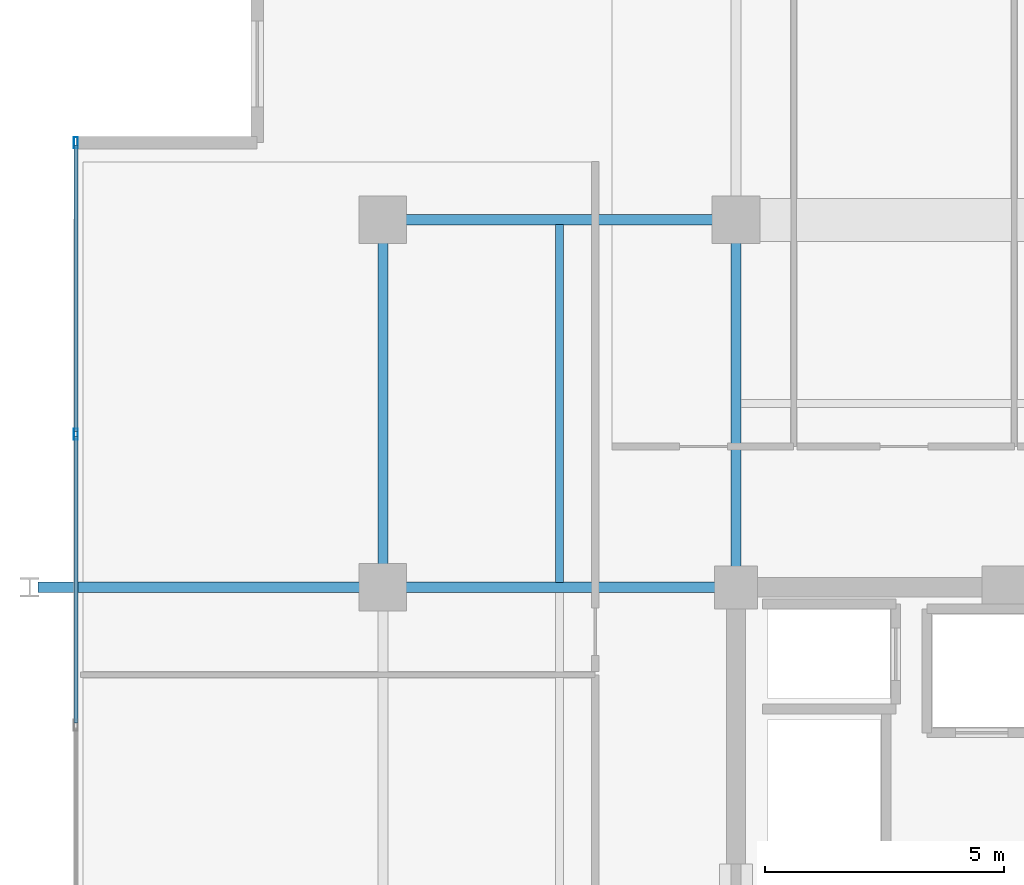
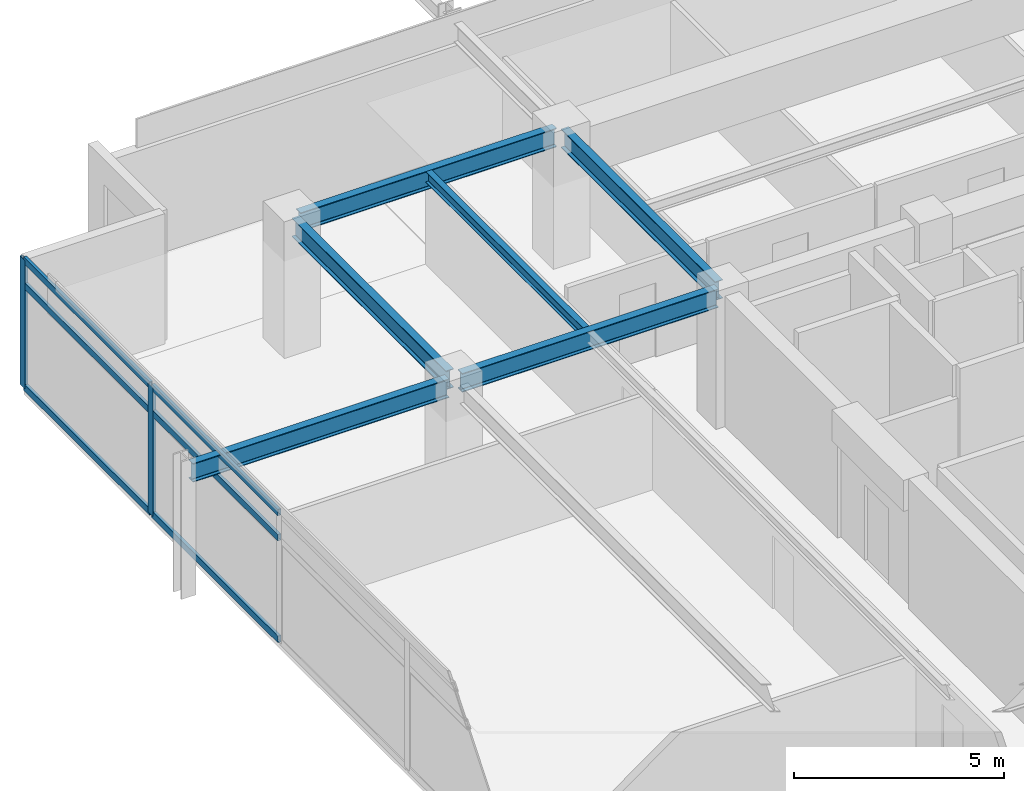
# One storey, part 9 of 20: 8 members, 6 beams, 1 element without a shape of its own.
"""IFC4 building model written with IfcOpenShell, lengths in metres."""

from ifc_helpers import new_model, si_unit, direction, frame, origin, origin_2d, place, context, subcontext, project, spatial, hollow_rectangle, i_section, extrude, material, material_profile, profile_set, type_object, element, aggregate, save


model = new_model("IFC4")

# Units and contexts
model_context = context("Model", 3, precision=1e-05, world=origin(), true_north=direction((0.0, 1.0)))
body_context = subcontext(model_context, "Body", "Model", "MODEL_VIEW")
ifc_project = project(units=[si_unit("LENGTHUNIT", "METRE"), si_unit("AREAUNIT", "SQUARE_METRE"), si_unit("VOLUMEUNIT", "CUBIC_METRE"), si_unit("PLANEANGLEUNIT", "RADIAN"), si_unit("MASSUNIT", "GRAM", prefix="KILO")], contexts=[model_context])

# Site, building, storey
site_placement = place(None, origin())
site = spatial("IfcSite", under=ifc_project, at=site_placement, CompositionType="ELEMENT")
building_placement = place(site_placement, origin())
building = spatial("IfcBuilding", under=site, at=building_placement, Name="Kovane Verandah Tower", CompositionType="ELEMENT")
storey_placement = place(building_placement, frame((0.0, 0.0, 318.800048828125)))
storey = spatial("IfcBuildingStorey", under=building, at=storey_placement, Name="L74", CompositionType="ELEMENT", Elevation=318.800048828125)

# Beams
ifc_material_1 = material(Name="Steel S355", Category="steel")
ifc_material_profile_1 = material_profile(ifc_material_1, i_section(OverallWidth=0.2119140625, OverallDepth=0.54443359375, WebThickness=0.0126953125, FlangeThickness=0.021240234375, FilletRadius=0.0126953125, at=origin_2d()), Name="UB533x210x122")
ifc_profile_set_1 = profile_set([ifc_material_profile_1], Name="Steel S355")
beam_type_1 = type_object("IfcBeamType", Name="BM-UB533x122", PredefinedType="BEAM", material=ifc_profile_set_1)
beam_1_placement = place(storey_placement, frame((21.780029296875, 44.199951171875, 3.5126953125), z_axis=(1.0, 0.0, 0.0), x_axis=(0.0, 1.0, 0.0)))
element("IfcBeam", 1, at=beam_1_placement, inside=storey, type_object=beam_type_1, Name="L74 Primary Tower Girder G-RN1", PredefinedType="BEAM", context=body_context, shape_type="SweptSolid", body=[
    extrude(i_section(OverallWidth=0.2119140625, OverallDepth=0.54443359375, WebThickness=0.0126953125, FlangeThickness=0.021240234375, FilletRadius=0.0126953125, at=origin_2d()), origin(), (0.0, 0.0, 1.0), 7.0400390625),
])
beam_2_placement = place(storey_placement, frame((21.60009765625, 36.679931640625, 3.5126953125), z_axis=(0.0, 1.0, 0.0), x_axis=(-1.0, 0.0, 0.0)))
element("IfcBeam", 2, at=beam_2_placement, inside=storey, type_object=beam_type_1, Name="L74 Primary Tower Girder G-RW3", PredefinedType="BEAM", context=body_context, shape_type="SweptSolid", body=[
    extrude(i_section(OverallWidth=0.2119140625, OverallDepth=0.54443359375, WebThickness=0.0126953125, FlangeThickness=0.021240234375, FilletRadius=0.0126953125, at=origin_2d()), origin(), (0.0, 0.0, 1.0), 7.340087890625),
])
beam_3_placement = place(storey_placement, frame((28.820068359375, 36.5, 3.5126953125), z_axis=(-1.0, 0.0, 0.0), x_axis=(0.0, -1.0, 0.0)))
element("IfcBeam", 3, at=beam_3_placement, inside=storey, type_object=beam_type_1, Name="L74 Primary Tower Girder G-W2", PredefinedType="BEAM", context=body_context, shape_type="SweptSolid", body=[
    extrude(i_section(OverallWidth=0.2119140625, OverallDepth=0.54443359375, WebThickness=0.0126953125, FlangeThickness=0.021240234375, FilletRadius=0.0126953125, at=origin_2d()), origin(), (0.0, 0.0, 1.0), 7.0400390625),
])
beam_4_placement = place(storey_placement, frame((29.0, 36.679931640625, 3.5126953125), z_axis=(0.0, 1.0, 0.0), x_axis=(-1.0, 0.0, 0.0)))
element("IfcBeam", 4, at=beam_4_placement, inside=storey, type_object=beam_type_1, Name="L74 Primary Tower Girder G-N1", PredefinedType="BEAM", context=body_context, shape_type="SweptSolid", body=[
    extrude(i_section(OverallWidth=0.2119140625, OverallDepth=0.54443359375, WebThickness=0.0126953125, FlangeThickness=0.021240234375, FilletRadius=0.0126953125, at=origin_2d()), origin(), (0.0, 0.0, 1.0), 7.340087890625),
])
beam_5_placement = place(storey_placement, frame((21.419921875, 36.5, 3.48779296875), z_axis=(-1.0, 0.0, 0.0), x_axis=(0.0, -1.0, 0.0)))
element("IfcBeam", 5, at=beam_5_placement, inside=storey, type_object=beam_type_1, Name="L74 Primary Tower Girder G-VW2", PredefinedType="BEAM", context=body_context, shape_type="SweptSolid", body=[
    extrude(i_section(OverallWidth=0.2119140625, OverallDepth=0.54443359375, WebThickness=0.0126953125, FlangeThickness=0.021240234375, FilletRadius=0.0126953125, at=origin_2d()), origin(), (0.0, 0.0, 1.0), 7.0400390625),
])

# Curtain wall, members
ifc_material_2 = material(Name="Champagne Anodised Aluminium Frame with Low-E Clear Laminated Glass", Category="aluminium")
curtain_wall_type = type_object("IfcCurtainWallType", Name="CW-SYS-05-HIGH", PredefinedType="NOTDEFINED", material=ifc_material_2)
curtain_wall_placement = place(storey_placement, origin())
curtain_wall = element("IfcCurtainWall", 6, at=curtain_wall_placement, inside=storey, type_object=curtain_wall_type, Name="L74 W Unitised Curtain Wall", PredefinedType="NOTDEFINED")
ifc_material_3 = material(Name="Champagne Anodised Aluminium 6063-T6", Category="aluminium")
ifc_material_profile_2 = material_profile(ifc_material_3, hollow_rectangle(XDim=0.0849609375, YDim=0.22998046875, WallThickness=0.00390625, at=origin_2d()), Name="AL85x230x4")
ifc_profile_set_2 = profile_set([ifc_material_profile_2], Name="Champagne Anodised Aluminium 6063-T6")
member_type_1 = type_object("IfcMemberType", Name="CW-MUL-85x230", PredefinedType="MULLION", material=ifc_profile_set_2)
member_1_placement = place(storey_placement, frame((15.16845703125, 45.815673828125, 0.02001953125), z_axis=(0.0, 0.0, 1.0), x_axis=(-1.0, 0.0, 0.0)))
member_1 = element("IfcMember", 7, at=member_1_placement, type_object=member_type_1, Name="L74 W Unitised Curtain Wall Mullion 1", PredefinedType="MULLION", context=body_context, shape_type="SweptSolid", body=[
    extrude(hollow_rectangle(XDim=0.0849609375, YDim=0.22998046875, WallThickness=0.00390625, at=origin_2d()), origin(), (0.0, 0.0, 1.0), 3.744873046875),
])
member_2_placement = place(storey_placement, frame((15.16845703125, 39.71044921875, 0.02001953125), z_axis=(0.0, 0.0, 1.0), x_axis=(-1.0, 0.0, 0.0)))
member_2 = element("IfcMember", 8, at=member_2_placement, type_object=member_type_1, Name="L74 W Unitised Curtain Wall Mullion 2", PredefinedType="MULLION", context=body_context, shape_type="SweptSolid", body=[
    extrude(hollow_rectangle(XDim=0.0849609375, YDim=0.22998046875, WallThickness=0.00390625, at=origin_2d()), origin(), (0.0, 0.0, 1.0), 3.744873046875),
])
ifc_material_profile_3 = material_profile(ifc_material_3, hollow_rectangle(XDim=0.0849609375, YDim=0.18994140625, WallThickness=0.00390625, at=origin_2d()), Name="AL85x190x4")
ifc_profile_set_3 = profile_set([ifc_material_profile_3], Name="Champagne Anodised Aluminium 6063-T6")
member_type_2 = type_object("IfcMemberType", Name="CW-TRN-85x190", PredefinedType="USERDEFINED", material=ifc_profile_set_3)
member_3_placement = place(storey_placement, frame((15.16845703125, 45.765625, 0.050048828125), z_axis=(0.0, -1.0, 0.0), x_axis=(1.0, 0.0, 0.0)))
member_3 = element("IfcMember", 9, at=member_3_placement, type_object=member_type_2, Name="L74 W Unitised Curtain Wall Transom TB Bay 1", ObjectType="TRANSOM", PredefinedType="USERDEFINED", context=body_context, shape_type="SweptSolid", body=[
    extrude(hollow_rectangle(XDim=0.0849609375, YDim=0.18994140625, WallThickness=0.00390625, at=origin_2d()), origin(), (0.0, 0.0, 1.0), 6.005126953125),
])
member_4_placement = place(storey_placement, frame((15.16845703125, 45.765625, 3.0048828125), z_axis=(0.0, -1.0, 0.0), x_axis=(1.0, 0.0, 0.0)))
member_4 = element("IfcMember", 10, at=member_4_placement, type_object=member_type_2, Name="L74 W Unitised Curtain Wall Transom TM Bay 1", ObjectType="TRANSOM", PredefinedType="USERDEFINED", context=body_context, shape_type="SweptSolid", body=[
    extrude(hollow_rectangle(XDim=0.0849609375, YDim=0.18994140625, WallThickness=0.00390625, at=origin_2d()), origin(), (0.0, 0.0, 1.0), 6.005126953125),
])
member_5_placement = place(storey_placement, frame((15.16845703125, 45.765625, 3.73486328125), z_axis=(0.0, -1.0, 0.0), x_axis=(1.0, 0.0, 0.0)))
member_5 = element("IfcMember", 11, at=member_5_placement, type_object=member_type_2, Name="L74 W Unitised Curtain Wall Transom TT Bay 1", ObjectType="TRANSOM", PredefinedType="USERDEFINED", context=body_context, shape_type="SweptSolid", body=[
    extrude(hollow_rectangle(XDim=0.0849609375, YDim=0.18994140625, WallThickness=0.00390625, at=origin_2d()), origin(), (0.0, 0.0, 1.0), 6.005126953125),
])
member_6_placement = place(storey_placement, frame((15.16845703125, 39.660400390625, 0.050048828125), z_axis=(0.0, -1.0, 0.0), x_axis=(1.0, 0.0, 0.0)))
member_6 = element("IfcMember", 12, at=member_6_placement, type_object=member_type_2, Name="L74 W Unitised Curtain Wall Transom TB Bay 2", ObjectType="TRANSOM", PredefinedType="USERDEFINED", context=body_context, shape_type="SweptSolid", body=[
    extrude(hollow_rectangle(XDim=0.0849609375, YDim=0.18994140625, WallThickness=0.00390625, at=origin_2d()), origin(), (0.0, 0.0, 1.0), 6.005126953125),
])
member_7_placement = place(storey_placement, frame((15.16845703125, 39.660400390625, 3.0048828125), z_axis=(0.0, -1.0, 0.0), x_axis=(1.0, 0.0, 0.0)))
member_7 = element("IfcMember", 13, at=member_7_placement, type_object=member_type_2, Name="L74 W Unitised Curtain Wall Transom TM Bay 2", ObjectType="TRANSOM", PredefinedType="USERDEFINED", context=body_context, shape_type="SweptSolid", body=[
    extrude(hollow_rectangle(XDim=0.0849609375, YDim=0.18994140625, WallThickness=0.00390625, at=origin_2d()), origin(), (0.0, 0.0, 1.0), 6.005126953125),
])
member_8_placement = place(storey_placement, frame((15.16845703125, 39.660400390625, 3.73486328125), z_axis=(0.0, -1.0, 0.0), x_axis=(1.0, 0.0, 0.0)))
member_8 = element("IfcMember", 14, at=member_8_placement, type_object=member_type_2, Name="L74 W Unitised Curtain Wall Transom TT Bay 2", ObjectType="TRANSOM", PredefinedType="USERDEFINED", context=body_context, shape_type="SweptSolid", body=[
    extrude(hollow_rectangle(XDim=0.0849609375, YDim=0.18994140625, WallThickness=0.00390625, at=origin_2d()), origin(), (0.0, 0.0, 1.0), 6.005126953125),
])
aggregate(curtain_wall, [member_1, member_2, member_3, member_4, member_5, member_6, member_7, member_8])

# Beam
ifc_material_profile_4 = material_profile(ifc_material_1, i_section(OverallWidth=0.1669921875, OverallDepth=0.310302734375, WebThickness=0.0078125, FlangeThickness=0.013671875, FilletRadius=0.0087890625, at=origin_2d()), Name="UB305x165x54")
ifc_profile_set_4 = profile_set([ifc_material_profile_4], Name="Steel S355")
beam_type_2 = type_object("IfcBeamType", Name="JST-UB305x54", PredefinedType="JOIST", material=ifc_profile_set_4)
beam_6_placement = place(storey_placement, frame((25.300048828125, 36.60400390625, 3.629638671875), z_axis=(0.0, 1.0, 0.0), x_axis=(-1.0, 0.0, 0.0)))
element("IfcBeam", 15, at=beam_6_placement, inside=storey, type_object=beam_type_2, Name="L74 Secondary Composite Joist J-NW1", PredefinedType="JOIST", context=body_context, shape_type="SweptSolid", body=[
    extrude(i_section(OverallWidth=0.1669921875, OverallDepth=0.310302734375, WebThickness=0.0078125, FlangeThickness=0.013671875, FilletRadius=0.0087890625, at=origin_2d()), origin(), (0.0, 0.0, 1.0), 7.491943359375),
])

save(model, "model.ifc")
